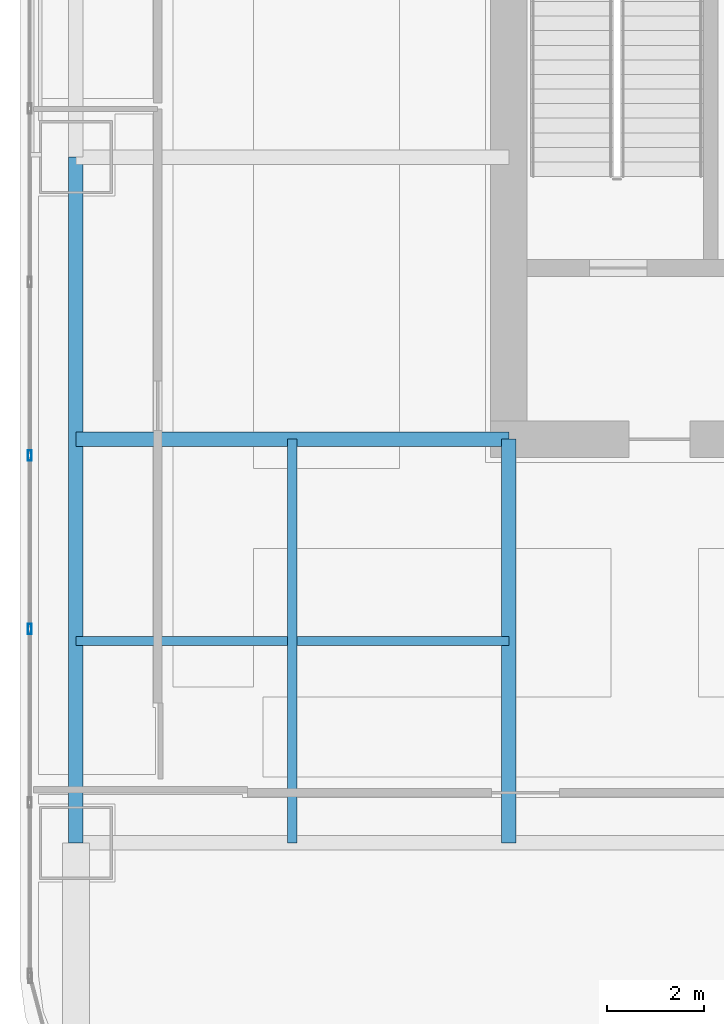
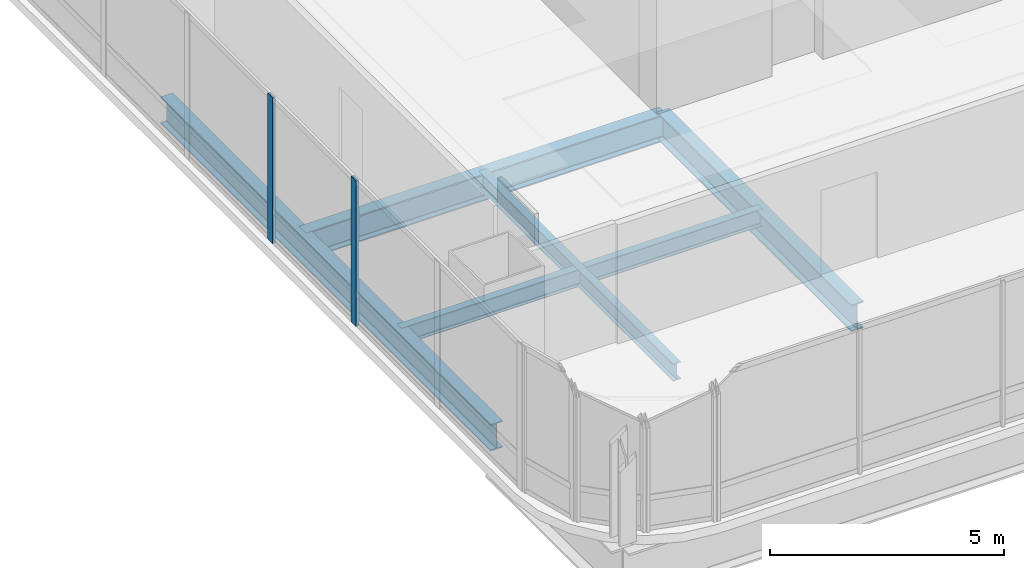
# One storey, part 3 of 35: 5 beams, 2 members, 1 element without a shape of its own.
"""IFC4 building model written with IfcOpenShell, lengths in metres."""

from ifc_helpers import new_model, si_unit, direction, frame, origin, origin_2d, place, context, subcontext, project, spatial, hollow_rectangle, i_section, extrude, material, material_profile, profile_set, type_object, element, aggregate, save


model = new_model("IFC4")

# Units and contexts
model_context = context("Model", 3, precision=1e-05, world=origin(), true_north=direction((0.0, 1.0)))
body_context = subcontext(model_context, "Body", "Model", "MODEL_VIEW")
ifc_project = project(units=[si_unit("LENGTHUNIT", "METRE"), si_unit("AREAUNIT", "SQUARE_METRE"), si_unit("VOLUMEUNIT", "CUBIC_METRE"), si_unit("PLANEANGLEUNIT", "RADIAN"), si_unit("MASSUNIT", "GRAM", prefix="KILO")], contexts=[model_context])

# Site, building, storey
site_placement = place(None, origin())
site = spatial("IfcSite", under=ifc_project, at=site_placement, CompositionType="ELEMENT")
building_placement = place(site_placement, origin())
building = spatial("IfcBuilding", under=site, at=building_placement, Name="Punatoya Terracotta Tower", CompositionType="ELEMENT")
storey_placement = place(building_placement, frame((0.0, 0.0, 68.699951171875)))
storey = spatial("IfcBuildingStorey", under=building, at=storey_placement, Name="L15", CompositionType="ELEMENT", Elevation=68.699951171875)

# Beams
ifc_material_1 = material(Name="Steel S355", Category="steel")
ifc_material_profile_1 = material_profile(ifc_material_1, i_section(OverallWidth=0.300048828125, OverallDepth=0.699951171875, WebThickness=0.01708984375, FlangeThickness=0.031982421875, FilletRadius=0.01806640625, at=origin_2d()))
ifc_profile_set_1 = profile_set([ifc_material_profile_1], Name="Steel S355")
beam_type_1 = type_object("IfcBeamType", Name="BM-PRI-700", PredefinedType="BEAM", material=ifc_profile_set_1)
beam_1_placement = place(storey_placement, frame((-19.10009765625, -17.5, -0.58984375), z_axis=(0.0, 1.0, 0.0), x_axis=(-1.0, 0.0, 0.0)))
element("IfcBeam", 1, at=beam_1_placement, inside=storey, type_object=beam_type_1, Name="BM-L15-RG-W1", PredefinedType="BEAM", context=body_context, shape_type="SweptSolid", body=[
    extrude(i_section(OverallWidth=0.300048828125, OverallDepth=0.699951171875, WebThickness=0.01708984375, FlangeThickness=0.031982421875, FilletRadius=0.01806640625, at=origin_2d()), origin(), (0.0, 0.0, 1.0), 14.10009765625),
])
beam_2_placement = place(storey_placement, frame((-19.10009765625, -9.199951171875, -0.58984375), z_axis=(1.0, 0.0, 0.0), x_axis=(0.0, 1.0, 0.0)))
element("IfcBeam", 2, at=beam_2_placement, inside=storey, type_object=beam_type_1, Name="BM-L15-PR-WS", PredefinedType="BEAM", context=body_context, shape_type="SweptSolid", body=[
    extrude(i_section(OverallWidth=0.300048828125, OverallDepth=0.699951171875, WebThickness=0.01708984375, FlangeThickness=0.031982421875, FilletRadius=0.01806640625, at=origin_2d()), origin(), (0.0, 0.0, 1.0), 8.900146484375),
])
beam_3_placement = place(storey_placement, frame((-10.199951171875, -17.5, -0.58984375), z_axis=(0.0, 1.0, 0.0), x_axis=(-1.0, 0.0, 0.0)))
element("IfcBeam", 3, at=beam_3_placement, inside=storey, type_object=beam_type_1, Name="BM-L15-PR-S1", PredefinedType="BEAM", context=body_context, shape_type="SweptSolid", body=[
    extrude(i_section(OverallWidth=0.300048828125, OverallDepth=0.699951171875, WebThickness=0.01708984375, FlangeThickness=0.031982421875, FilletRadius=0.01806640625, at=origin_2d()), origin(), (0.0, 0.0, 1.0), 8.300048828125),
])
ifc_material_profile_2 = material_profile(ifc_material_1, i_section(OverallWidth=0.18994140625, OverallDepth=0.449951171875, WebThickness=0.009521484375, FlangeThickness=0.0146484375, FilletRadius=0.01806640625, at=origin_2d()))
ifc_profile_set_2 = profile_set([ifc_material_profile_2], Name="Steel S355")
beam_type_2 = type_object("IfcBeamType", Name="BM-SEC-450", PredefinedType="JOIST", material=ifc_profile_set_2)
beam_4_placement = place(storey_placement, frame((-19.10009765625, -13.35009765625, -0.46484375), z_axis=(1.0, 0.0, 0.0), x_axis=(0.0, 1.0, 0.0)))
element("IfcBeam", 4, at=beam_4_placement, inside=storey, type_object=beam_type_2, Name="BM-L15-SJS-1", PredefinedType="JOIST", context=body_context, shape_type="SweptSolid", body=[
    extrude(i_section(OverallWidth=0.18994140625, OverallDepth=0.449951171875, WebThickness=0.009521484375, FlangeThickness=0.0146484375, FilletRadius=0.01806640625, at=origin_2d()), origin(), (0.0, 0.0, 1.0), 8.900146484375),
])
beam_5_placement = place(storey_placement, frame((-14.64990234375, -17.5, -0.46484375), z_axis=(0.0, 1.0, 0.0), x_axis=(-1.0, 0.0, 0.0)))
element("IfcBeam", 5, at=beam_5_placement, inside=storey, type_object=beam_type_2, Name="BM-L15-SJW-1", PredefinedType="JOIST", context=body_context, shape_type="SweptSolid", body=[
    extrude(i_section(OverallWidth=0.18994140625, OverallDepth=0.449951171875, WebThickness=0.009521484375, FlangeThickness=0.0146484375, FilletRadius=0.01806640625, at=origin_2d()), origin(), (0.0, 0.0, 1.0), 8.300048828125),
])

# Curtain wall, members
ifc_material_2 = material(Name="Aluminium 6063-T6 + Double Low-E Glass", Category="aluminium")
curtain_wall_type = type_object("IfcCurtainWallType", Name="CW-M1", PredefinedType="NOTDEFINED", material=ifc_material_2)
curtain_wall_placement = place(storey_placement, origin())
curtain_wall = element("IfcCurtainWall", 6, at=curtain_wall_placement, inside=storey, type_object=curtain_wall_type, Name="L15 Curtain Wall CW-L15-W13-1", PredefinedType="NOTDEFINED")
ifc_material_3 = material(Name="Aluminium 6063-T6", Category="aluminium")
ifc_material_profile_3 = material_profile(ifc_material_3, hollow_rectangle(XDim=0.074951171875, YDim=0.2099609375, WallThickness=0.00439453125, at=origin_2d()))
ifc_profile_set_3 = profile_set([ifc_material_profile_3], Name="Aluminium 6063-T6")
member_type = type_object("IfcMemberType", Name="CW-MUL-M1", PredefinedType="MULLION", material=ifc_profile_set_3)
member_1_placement = place(storey_placement, frame((-20.050048828125, -9.534912109375, 0.0), z_axis=(0.0, 0.0, 1.0), x_axis=(1.0, 0.0, 0.0)))
member_1 = element("IfcMember", 7, at=member_1_placement, type_object=member_type, Name="CW-L15-W13-1 Mullion 07", PredefinedType="MULLION", context=body_context, shape_type="SweptSolid", body=[
    extrude(hollow_rectangle(XDim=0.074951171875, YDim=0.2099609375, WallThickness=0.00439453125, at=origin_2d()), origin(), (0.0, 0.0, 1.0), 3.81005859375),
])
member_2_placement = place(storey_placement, frame((-20.050048828125, -13.10205078125, 0.0), z_axis=(0.0, 0.0, 1.0), x_axis=(1.0, 0.0, 0.0)))
member_2 = element("IfcMember", 8, at=member_2_placement, type_object=member_type, Name="CW-L15-W13-1 Mullion 08", PredefinedType="MULLION", context=body_context, shape_type="SweptSolid", body=[
    extrude(hollow_rectangle(XDim=0.074951171875, YDim=0.2099609375, WallThickness=0.00439453125, at=origin_2d()), origin(), (0.0, 0.0, 1.0), 3.81005859375),
])
aggregate(curtain_wall, [member_1, member_2])

save(model, "model.ifc")
